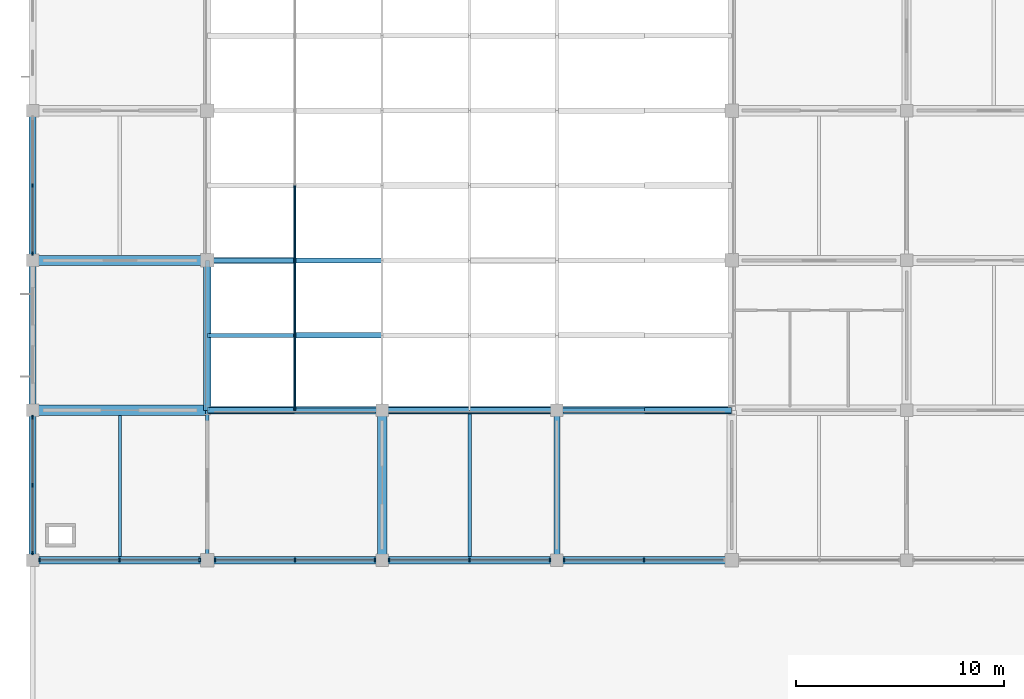
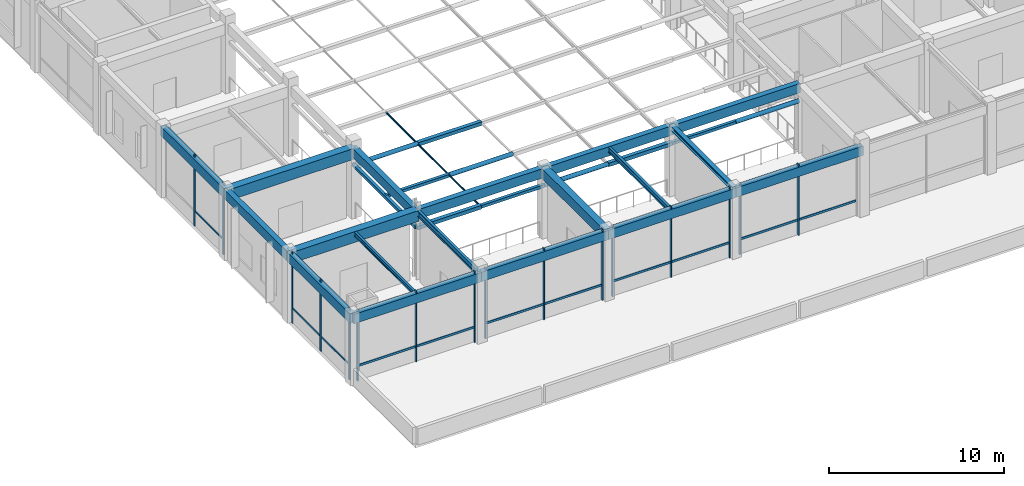
# One storey, part 6 of 38: 41 members, 18 beams, 6 elements without a shape of their own.
"""IFC4 building model written with IfcOpenShell, lengths in metres."""

from ifc_helpers import new_model, si_unit, derived_unit, direction, frame, origin, origin_2d, place, context, subcontext, project, spatial, rectangle, hollow_rectangle, hollow_circle, i_section, extrude, material, material_profile, profile_set, type_object, element, aggregate, save


model = new_model("IFC4")

# Units and contexts
model_context = context("Model", 3, precision=1e-05, world=origin(), true_north=direction((0.0, 1.0)))
body_context = subcontext(model_context, "Body", "Model", "MODEL_VIEW")
ifc_project = project(units=[si_unit("LENGTHUNIT", "METRE"), si_unit("AREAUNIT", "SQUARE_METRE"), si_unit("VOLUMEUNIT", "CUBIC_METRE"), si_unit("PLANEANGLEUNIT", "RADIAN"), si_unit("MASSUNIT", "GRAM", prefix="KILO"), derived_unit("THERMALTRANSMITTANCEUNIT", [(si_unit("MASSUNIT", "GRAM", prefix="KILO"), 1), (si_unit("TIMEUNIT", "SECOND"), -3), (si_unit("THERMODYNAMICTEMPERATUREUNIT", "KELVIN"), -1)])], contexts=[model_context])

# Site, building, storey
site_placement = place(None, origin())
site = spatial("IfcSite", under=ifc_project, at=site_placement, CompositionType="ELEMENT")
building_placement = place(site_placement, origin())
building = spatial("IfcBuilding", under=site, at=building_placement, Name="Veldstrom Oceanarium and Marine Research Institute", CompositionType="ELEMENT")
storey_placement = place(building_placement, frame((0.0, 0.0, 16.800048828125)))
storey = spatial("IfcBuildingStorey", under=building, at=storey_placement, Name="L03", CompositionType="ELEMENT", Elevation=16.800048828125)

# Curtain wall, members
ifc_material_1 = material(Name="Anodised Aluminium Framing", Category="aluminium")
curtain_wall_type_1 = type_object("IfcCurtainWallType", Name="ARC-CW-CW02", PredefinedType="USERDEFINED", material=ifc_material_1)
curtain_wall_1_placement = place(storey_placement, origin())
curtain_wall_1 = element("IfcCurtainWall", 1, at=curtain_wall_1_placement, inside=storey, type_object=curtain_wall_type_1, Name="Curtain Wall CW02 CW-L03-043", ObjectType="Curtain wall", PredefinedType="USERDEFINED")
ifc_material_2 = material(Name="Anodised Aluminium Framing", Category="aluminium")
ifc_material_profile_1 = material_profile(ifc_material_2, rectangle(XDim=0.074951171875, YDim=0.179931640625, at=origin_2d()), Name="ALU-MUL-75x180")
ifc_profile_set_1 = profile_set([ifc_material_profile_1], Name="Anodised Aluminium Framing")
member_type_1 = type_object("IfcMemberType", Name="ARC-MUL-ML1", PredefinedType="MULLION", material=ifc_profile_set_1)
member_1_placement = place(storey_placement, frame((8.739990234375, 7.199951171875, 0.0), z_axis=(0.0, 0.0, 1.0), x_axis=(1.0, 0.0, 0.0)))
member_1 = element("IfcMember", 2, at=member_1_placement, type_object=member_type_1, Name="Curtain Wall Mullion CW-L03-043-MUL-1", PredefinedType="MULLION", context=body_context, shape_type="SweptSolid", body=[
    extrude(rectangle(XDim=0.074951171875, YDim=0.179931640625, at=origin_2d()), origin(), (0.0, 0.0, 1.0), 4.949951171875),
])
member_2_placement = place(storey_placement, frame((12.58740234375, 7.199951171875, 0.0), z_axis=(0.0, 0.0, 1.0), x_axis=(1.0, 0.0, 0.0)))
member_2 = element("IfcMember", 3, at=member_2_placement, type_object=member_type_1, Name="Curtain Wall Mullion CW-L03-043-MUL-2", PredefinedType="MULLION", context=body_context, shape_type="SweptSolid", body=[
    extrude(rectangle(XDim=0.074951171875, YDim=0.179931640625, at=origin_2d()), origin(), (0.0, 0.0, 1.0), 4.949951171875),
])
member_3_placement = place(storey_placement, frame((16.43505859375, 7.199951171875, 0.0), z_axis=(0.0, 0.0, 1.0), x_axis=(1.0, 0.0, 0.0)))
member_3 = element("IfcMember", 4, at=member_3_placement, type_object=member_type_1, Name="Curtain Wall Mullion CW-L03-043-MUL-3", PredefinedType="MULLION", context=body_context, shape_type="SweptSolid", body=[
    extrude(rectangle(XDim=0.074951171875, YDim=0.179931640625, at=origin_2d()), origin(), (0.0, 0.0, 1.0), 4.949951171875),
])

ifc_material_3 = material(Name="Anodised Aluminium Framing", Category="aluminium")
curtain_wall_type_2 = type_object("IfcCurtainWallType", Name="ARC-CW-CW06", PredefinedType="USERDEFINED", material=ifc_material_3)
curtain_wall_2_placement = place(storey_placement, origin())
curtain_wall_2 = element("IfcCurtainWall", 5, at=curtain_wall_2_placement, inside=storey, type_object=curtain_wall_type_2, Name="Curtain Wall CW06 CW-L03-044", ObjectType="Curtain wall", PredefinedType="USERDEFINED")
member_4_placement = place(storey_placement, frame((8.39990234375, 7.5400390625, 0.0), z_axis=(0.0, 0.0, 1.0), x_axis=(1.0, 0.0, 0.0)))
member_4 = element("IfcMember", 6, at=member_4_placement, type_object=member_type_1, Name="Curtain Wall Mullion CW-L03-044-MUL-1", PredefinedType="MULLION", context=body_context, shape_type="SweptSolid", body=[
    extrude(rectangle(XDim=0.074951171875, YDim=0.179931640625, at=origin_2d()), origin(), (0.0, 0.0, 1.0), 4.949951171875),
])
member_5_placement = place(storey_placement, frame((8.39990234375, 10.800048828125, 0.0), z_axis=(0.0, 0.0, 1.0), x_axis=(1.0, 0.0, 0.0)))
member_5 = element("IfcMember", 7, at=member_5_placement, type_object=member_type_1, Name="Curtain Wall Mullion CW-L03-044-MUL-2", PredefinedType="MULLION", context=body_context, shape_type="SweptSolid", body=[
    extrude(rectangle(XDim=0.074951171875, YDim=0.179931640625, at=origin_2d()), origin(), (0.0, 0.0, 1.0), 4.949951171875),
])
member_6_placement = place(storey_placement, frame((8.39990234375, 14.06005859375, 0.0), z_axis=(0.0, 0.0, 1.0), x_axis=(1.0, 0.0, 0.0)))
member_6 = element("IfcMember", 8, at=member_6_placement, type_object=member_type_1, Name="Curtain Wall Mullion CW-L03-044-MUL-3", PredefinedType="MULLION", context=body_context, shape_type="SweptSolid", body=[
    extrude(rectangle(XDim=0.074951171875, YDim=0.179931640625, at=origin_2d()), origin(), (0.0, 0.0, 1.0), 4.949951171875),
])

curtain_wall_3_placement = place(storey_placement, origin())
curtain_wall_3 = element("IfcCurtainWall", 9, at=curtain_wall_3_placement, inside=storey, type_object=curtain_wall_type_2, Name="Curtain Wall CW06 CW-L03-045", ObjectType="Curtain wall", PredefinedType="USERDEFINED")
member_7_placement = place(storey_placement, frame((8.39990234375, 21.93994140625, 0.0), z_axis=(0.0, 0.0, 1.0), x_axis=(1.0, 0.0, 0.0)))
member_7 = element("IfcMember", 10, at=member_7_placement, type_object=member_type_1, Name="Curtain Wall Mullion CW-L03-045-MUL-1", PredefinedType="MULLION", context=body_context, shape_type="SweptSolid", body=[
    extrude(rectangle(XDim=0.074951171875, YDim=0.179931640625, at=origin_2d()), origin(), (0.0, 0.0, 1.0), 4.949951171875),
])
member_8_placement = place(storey_placement, frame((8.39990234375, 25.199951171875, 0.0), z_axis=(0.0, 0.0, 1.0), x_axis=(1.0, 0.0, 0.0)))
member_8 = element("IfcMember", 11, at=member_8_placement, type_object=member_type_1, Name="Curtain Wall Mullion CW-L03-045-MUL-2", PredefinedType="MULLION", context=body_context, shape_type="SweptSolid", body=[
    extrude(rectangle(XDim=0.074951171875, YDim=0.179931640625, at=origin_2d()), origin(), (0.0, 0.0, 1.0), 4.949951171875),
])

curtain_wall_4_placement = place(storey_placement, origin())
curtain_wall_4 = element("IfcCurtainWall", 12, at=curtain_wall_4_placement, inside=storey, type_object=curtain_wall_type_1, Name="Curtain Wall CW02 CW-L03-049", ObjectType="Curtain wall", PredefinedType="USERDEFINED")
member_9_placement = place(storey_placement, frame((17.1650390625, 7.199951171875, 0.0), z_axis=(0.0, 0.0, 1.0), x_axis=(1.0, 0.0, 0.0)))
member_9 = element("IfcMember", 13, at=member_9_placement, type_object=member_type_1, Name="Curtain Wall Mullion CW-L03-049-MUL-1", PredefinedType="MULLION", context=body_context, shape_type="SweptSolid", body=[
    extrude(rectangle(XDim=0.074951171875, YDim=0.179931640625, at=origin_2d()), origin(), (0.0, 0.0, 1.0), 4.949951171875),
])
member_10_placement = place(storey_placement, frame((21.012451171875, 7.199951171875, 0.0), z_axis=(0.0, 0.0, 1.0), x_axis=(1.0, 0.0, 0.0)))
member_10 = element("IfcMember", 14, at=member_10_placement, type_object=member_type_1, Name="Curtain Wall Mullion CW-L03-049-MUL-2", PredefinedType="MULLION", context=body_context, shape_type="SweptSolid", body=[
    extrude(rectangle(XDim=0.074951171875, YDim=0.179931640625, at=origin_2d()), origin(), (0.0, 0.0, 1.0), 4.949951171875),
])
member_11_placement = place(storey_placement, frame((24.860107421875, 7.199951171875, 0.0), z_axis=(0.0, 0.0, 1.0), x_axis=(1.0, 0.0, 0.0)))
member_11 = element("IfcMember", 15, at=member_11_placement, type_object=member_type_1, Name="Curtain Wall Mullion CW-L03-049-MUL-3", PredefinedType="MULLION", context=body_context, shape_type="SweptSolid", body=[
    extrude(rectangle(XDim=0.074951171875, YDim=0.179931640625, at=origin_2d()), origin(), (0.0, 0.0, 1.0), 4.949951171875),
])

curtain_wall_5_placement = place(storey_placement, origin())
curtain_wall_5 = element("IfcCurtainWall", 16, at=curtain_wall_5_placement, inside=storey, type_object=curtain_wall_type_1, Name="Curtain Wall CW02 CW-L03-050", ObjectType="Curtain wall", PredefinedType="USERDEFINED")
member_12_placement = place(storey_placement, frame((25.5400390625, 7.199951171875, 0.0), z_axis=(0.0, 0.0, 1.0), x_axis=(1.0, 0.0, 0.0)))
member_12 = element("IfcMember", 17, at=member_12_placement, type_object=member_type_1, Name="Curtain Wall Mullion CW-L03-050-MUL-1", PredefinedType="MULLION", context=body_context, shape_type="SweptSolid", body=[
    extrude(rectangle(XDim=0.074951171875, YDim=0.179931640625, at=origin_2d()), origin(), (0.0, 0.0, 1.0), 4.949951171875),
])
member_13_placement = place(storey_placement, frame((29.39990234375, 7.199951171875, 0.0), z_axis=(0.0, 0.0, 1.0), x_axis=(1.0, 0.0, 0.0)))
member_13 = element("IfcMember", 18, at=member_13_placement, type_object=member_type_1, Name="Curtain Wall Mullion CW-L03-050-MUL-2", PredefinedType="MULLION", context=body_context, shape_type="SweptSolid", body=[
    extrude(rectangle(XDim=0.074951171875, YDim=0.179931640625, at=origin_2d()), origin(), (0.0, 0.0, 1.0), 4.949951171875),
])
member_14_placement = place(storey_placement, frame((33.260009765625, 7.199951171875, 0.0), z_axis=(0.0, 0.0, 1.0), x_axis=(1.0, 0.0, 0.0)))
member_14 = element("IfcMember", 19, at=member_14_placement, type_object=member_type_1, Name="Curtain Wall Mullion CW-L03-050-MUL-3", PredefinedType="MULLION", context=body_context, shape_type="SweptSolid", body=[
    extrude(rectangle(XDim=0.074951171875, YDim=0.179931640625, at=origin_2d()), origin(), (0.0, 0.0, 1.0), 4.949951171875),
])

curtain_wall_6_placement = place(storey_placement, origin())
curtain_wall_6 = element("IfcCurtainWall", 20, at=curtain_wall_6_placement, inside=storey, type_object=curtain_wall_type_1, Name="Curtain Wall CW02 CW-L03-051", ObjectType="Curtain wall", PredefinedType="USERDEFINED")
member_15_placement = place(storey_placement, frame((33.93994140625, 7.199951171875, 0.0), z_axis=(0.0, 0.0, 1.0), x_axis=(1.0, 0.0, 0.0)))
member_15 = element("IfcMember", 21, at=member_15_placement, type_object=member_type_1, Name="Curtain Wall Mullion CW-L03-051-MUL-1", PredefinedType="MULLION", context=body_context, shape_type="SweptSolid", body=[
    extrude(rectangle(XDim=0.074951171875, YDim=0.179931640625, at=origin_2d()), origin(), (0.0, 0.0, 1.0), 4.949951171875),
])
member_16_placement = place(storey_placement, frame((37.78759765625, 7.199951171875, 0.0), z_axis=(0.0, 0.0, 1.0), x_axis=(1.0, 0.0, 0.0)))
member_16 = element("IfcMember", 22, at=member_16_placement, type_object=member_type_1, Name="Curtain Wall Mullion CW-L03-051-MUL-2", PredefinedType="MULLION", context=body_context, shape_type="SweptSolid", body=[
    extrude(rectangle(XDim=0.074951171875, YDim=0.179931640625, at=origin_2d()), origin(), (0.0, 0.0, 1.0), 4.949951171875),
])

# Member
ifc_material_4 = material(Name="Anodised Aluminium Framing", Category="aluminium")
ifc_material_profile_2 = material_profile(ifc_material_4, rectangle(XDim=0.074951171875, YDim=0.14990234375, at=origin_2d()), Name="ALU-TRN-75x150")
ifc_profile_set_2 = profile_set([ifc_material_profile_2], Name="Anodised Aluminium Framing")
member_type_2 = type_object("IfcMemberType", Name="ARC-TRN-TR1", PredefinedType="USERDEFINED", material=ifc_profile_set_2)
member_17_placement = place(storey_placement, frame((8.780029296875, 7.199951171875, 1.050048828125), z_axis=(1.0, 0.0, 0.0), x_axis=(0.0, 1.0, 0.0)))
member_17 = element("IfcMember", 23, at=member_17_placement, type_object=member_type_2, Name="Curtain Wall Transom CW-L03-043-TRN-1", ObjectType="Transom", PredefinedType="USERDEFINED", context=body_context, shape_type="SweptSolid", body=[
    extrude(rectangle(XDim=0.074951171875, YDim=0.14990234375, at=origin_2d()), origin(), (0.0, 0.0, 1.0), 3.767578125),
])

member_18_placement = place(storey_placement, frame((12.62744140625, 7.199951171875, 1.050048828125), z_axis=(1.0, 0.0, 0.0), x_axis=(0.0, 1.0, 0.0)))
member_18 = element("IfcMember", 24, at=member_18_placement, type_object=member_type_2, Name="Curtain Wall Transom CW-L03-043-TRN-2", ObjectType="Transom", PredefinedType="USERDEFINED", context=body_context, shape_type="SweptSolid", body=[
    extrude(rectangle(XDim=0.074951171875, YDim=0.14990234375, at=origin_2d()), origin(), (0.0, 0.0, 1.0), 3.767578125),
])

aggregate(curtain_wall_1, [member_1, member_2, member_3, member_17, member_18])

member_19_placement = place(storey_placement, frame((17.205078125, 7.199951171875, 1.050048828125), z_axis=(1.0, 0.0, 0.0), x_axis=(0.0, 1.0, 0.0)))
member_19 = element("IfcMember", 25, at=member_19_placement, type_object=member_type_2, Name="Curtain Wall Transom CW-L03-049-TRN-1", ObjectType="Transom", PredefinedType="USERDEFINED", context=body_context, shape_type="SweptSolid", body=[
    extrude(rectangle(XDim=0.074951171875, YDim=0.14990234375, at=origin_2d()), origin(), (0.0, 0.0, 1.0), 3.767333984375),
])

member_20_placement = place(storey_placement, frame((21.052490234375, 7.199951171875, 1.050048828125), z_axis=(1.0, 0.0, 0.0), x_axis=(0.0, 1.0, 0.0)))
member_20 = element("IfcMember", 26, at=member_20_placement, type_object=member_type_2, Name="Curtain Wall Transom CW-L03-049-TRN-2", ObjectType="Transom", PredefinedType="USERDEFINED", context=body_context, shape_type="SweptSolid", body=[
    extrude(rectangle(XDim=0.074951171875, YDim=0.14990234375, at=origin_2d()), origin(), (0.0, 0.0, 1.0), 3.767578125),
])

aggregate(curtain_wall_4, [member_9, member_10, member_11, member_19, member_20])

member_21_placement = place(storey_placement, frame((25.580078125, 7.199951171875, 1.050048828125), z_axis=(1.0, 0.0, 0.0), x_axis=(0.0, 1.0, 0.0)))
member_21 = element("IfcMember", 27, at=member_21_placement, type_object=member_type_2, Name="Curtain Wall Transom CW-L03-050-TRN-1", ObjectType="Transom", PredefinedType="USERDEFINED", context=body_context, shape_type="SweptSolid", body=[
    extrude(rectangle(XDim=0.074951171875, YDim=0.14990234375, at=origin_2d()), origin(), (0.0, 0.0, 1.0), 3.780029296875),
])

member_22_placement = place(storey_placement, frame((29.43994140625, 7.199951171875, 1.050048828125), z_axis=(1.0, 0.0, 0.0), x_axis=(0.0, 1.0, 0.0)))
member_22 = element("IfcMember", 28, at=member_22_placement, type_object=member_type_2, Name="Curtain Wall Transom CW-L03-050-TRN-2", ObjectType="Transom", PredefinedType="USERDEFINED", context=body_context, shape_type="SweptSolid", body=[
    extrude(rectangle(XDim=0.074951171875, YDim=0.14990234375, at=origin_2d()), origin(), (0.0, 0.0, 1.0), 3.780029296875),
])

aggregate(curtain_wall_5, [member_12, member_13, member_14, member_21, member_22])

member_23_placement = place(storey_placement, frame((33.97998046875, 7.199951171875, 1.050048828125), z_axis=(1.0, 0.0, 0.0), x_axis=(0.0, 1.0, 0.0)))
member_23 = element("IfcMember", 29, at=member_23_placement, type_object=member_type_2, Name="Curtain Wall Transom CW-L03-051-TRN-1", ObjectType="Transom", PredefinedType="USERDEFINED", context=body_context, shape_type="SweptSolid", body=[
    extrude(rectangle(XDim=0.074951171875, YDim=0.14990234375, at=origin_2d()), origin(), (0.0, 0.0, 1.0), 3.767578125),
])

member_24_placement = place(storey_placement, frame((37.827392578125, 7.199951171875, 1.050048828125), z_axis=(1.0, 0.0, 0.0), x_axis=(0.0, 1.0, 0.0)))
member_24 = element("IfcMember", 30, at=member_24_placement, type_object=member_type_2, Name="Curtain Wall Transom CW-L03-051-TRN-2", ObjectType="Transom", PredefinedType="USERDEFINED", context=body_context, shape_type="SweptSolid", body=[
    extrude(rectangle(XDim=0.074951171875, YDim=0.14990234375, at=origin_2d()), origin(), (0.0, 0.0, 1.0), 3.767578125),
])

aggregate(curtain_wall_6, [member_15, member_16, member_23, member_24])

ifc_material_5 = material(Name="Anodised Aluminium Framing", Category="aluminium")
ifc_material_profile_3 = material_profile(ifc_material_5, rectangle(XDim=0.06494140625, YDim=0.1201171875, at=origin_2d()), Name="ALU-TRN-65x120")
ifc_profile_set_3 = profile_set([ifc_material_profile_3], Name="Anodised Aluminium Framing")
member_type_3 = type_object("IfcMemberType", Name="ARC-TRN-TR2", PredefinedType="USERDEFINED", material=ifc_profile_set_3)
member_25_placement = place(storey_placement, frame((8.39990234375, 7.580078125, 1.050048828125), z_axis=(0.0, 1.0, 0.0), x_axis=(-1.0, 0.0, 0.0)))
member_25 = element("IfcMember", 31, at=member_25_placement, type_object=member_type_3, Name="Curtain Wall Transom CW-L03-044-TRN-1", ObjectType="Transom", PredefinedType="USERDEFINED", context=body_context, shape_type="SweptSolid", body=[
    extrude(rectangle(XDim=0.06494140625, YDim=0.1201171875, at=origin_2d()), origin(), (0.0, 0.0, 1.0), 3.179931640625),
])

member_26_placement = place(storey_placement, frame((8.39990234375, 10.840087890625, 1.050048828125), z_axis=(0.0, 1.0, 0.0), x_axis=(-1.0, 0.0, 0.0)))
member_26 = element("IfcMember", 32, at=member_26_placement, type_object=member_type_3, Name="Curtain Wall Transom CW-L03-044-TRN-2", ObjectType="Transom", PredefinedType="USERDEFINED", context=body_context, shape_type="SweptSolid", body=[
    extrude(rectangle(XDim=0.06494140625, YDim=0.1201171875, at=origin_2d()), origin(), (0.0, 0.0, 1.0), 3.179931640625),
])

aggregate(curtain_wall_2, [member_4, member_5, member_6, member_25, member_26])

member_27_placement = place(storey_placement, frame((8.39990234375, 21.97998046875, 1.050048828125), z_axis=(0.0, 1.0, 0.0), x_axis=(-1.0, 0.0, 0.0)))
member_27 = element("IfcMember", 33, at=member_27_placement, type_object=member_type_3, Name="Curtain Wall Transom CW-L03-045-TRN-1", ObjectType="Transom", PredefinedType="USERDEFINED", context=body_context, shape_type="SweptSolid", body=[
    extrude(rectangle(XDim=0.06494140625, YDim=0.1201171875, at=origin_2d()), origin(), (0.0, 0.0, 1.0), 3.179931640625),
])

aggregate(curtain_wall_3, [member_7, member_8, member_27])

# Beams
ifc_material_6 = material(Name="Concrete C40/50", Category="concrete")
ifc_material_profile_4 = material_profile(ifc_material_6, rectangle(XDim=0.5, YDim=0.75, at=origin_2d()), Name="RC-BM-500x750")
ifc_profile_set_4 = profile_set([ifc_material_profile_4], Name="Concrete C40/50")
beam_type_1 = type_object("IfcBeamType", Name="STR-BM-B03", PredefinedType="BEAM", material=ifc_profile_set_4)
for number, where, z_axis, x_axis, name in (
    (34, (8.39990234375, 14.39990234375, 4.445068359375), (1.0, 0.0, 0.0), (0.0, 1.0, 0.0), "Primary Beam B03 L03-1840"),
    (35, (8.39990234375, 21.60009765625, 4.445068359375), (1.0, 0.0, 0.0), (0.0, 1.0, 0.0), "Primary Beam B03 L03-1841"),
):
    element("IfcBeam", number, at=place(storey_placement, frame(where, z_axis=z_axis, x_axis=x_axis)), inside=storey, type_object=beam_type_1, Name=name, PredefinedType="BEAM", context=body_context, shape_type="SweptSolid", body=[
        extrude(rectangle(XDim=0.5, YDim=0.75, at=origin_2d()), origin(), (0.0, 0.0, 1.0), 8.400146484375),
    ])
ifc_material_7 = material(Name="Concrete C40/50", Category="concrete")
ifc_material_profile_5 = material_profile(ifc_material_7, rectangle(XDim=0.449951171875, YDim=0.699951171875, at=origin_2d()), Name="RC-BM-450x700")
ifc_profile_set_5 = profile_set([ifc_material_profile_5], Name="Concrete C40/50")
beam_type_2 = type_object("IfcBeamType", Name="STR-BM-B04", PredefinedType="BEAM", material=ifc_profile_set_5)
beam_1_placement = place(storey_placement, frame((25.199951171875, 7.199951171875, 4.469970703125), z_axis=(0.0, 1.0, 0.0), x_axis=(-1.0, 0.0, 0.0)))
element("IfcBeam", 36, at=beam_1_placement, inside=storey, type_object=beam_type_2, Name="Primary Beam B04 L03-1966", PredefinedType="BEAM", context=body_context, shape_type="SweptSolid", body=[
    extrude(rectangle(XDim=0.449951171875, YDim=0.699951171875, at=origin_2d()), origin(), (0.0, 0.0, 1.0), 7.199951171875),
])
ifc_material_8 = material(Name="Steel S355JR", Category="steel")
ifc_material_profile_6 = material_profile(ifc_material_8, i_section(OverallWidth=0.300048828125, OverallDepth=0.2900390625, WebThickness=0.008544921875, FlangeThickness=0.013916015625, FilletRadius=0.027099609375, at=origin_2d()), Name="HEA 300")
ifc_profile_set_6 = profile_set([ifc_material_profile_6], Name="Steel S355JR")
beam_type_3 = type_object("IfcBeamType", Name="STR-BM-SB10", PredefinedType="BEAM", material=ifc_profile_set_6)
beam_2_placement = place(storey_placement, frame((33.60009765625, 7.199951171875, 4.675048828125), z_axis=(0.0, 1.0, 0.0), x_axis=(-1.0, 0.0, 0.0)))
element("IfcBeam", 37, at=beam_2_placement, inside=storey, type_object=beam_type_3, Name="Steel Tie Beam SB10 L03-1969", PredefinedType="BEAM", context=body_context, shape_type="SweptSolid", body=[
    extrude(i_section(OverallWidth=0.300048828125, OverallDepth=0.2900390625, WebThickness=0.008544921875, FlangeThickness=0.013916015625, FilletRadius=0.027099609375, at=origin_2d()), origin(), (0.0, 0.0, 1.0), 7.199951171875),
])
ifc_material_9 = material(Name="Steel S355JR", Category="steel")
ifc_material_profile_7 = material_profile(ifc_material_9, i_section(OverallWidth=0.179931640625, OverallDepth=0.39990234375, WebThickness=0.008544921875, FlangeThickness=0.013427734375, FilletRadius=0.02099609375, at=origin_2d()), Name="IPE 400")
ifc_profile_set_7 = profile_set([ifc_material_profile_7], Name="Steel S355JR")
beam_type_4 = type_object("IfcBeamType", Name="STR-BM-SB8", PredefinedType="BEAM", material=ifc_profile_set_7)
beam_3_placement = place(storey_placement, frame((16.800048828125, 7.199951171875, 4.619873046875), z_axis=(0.0, 1.0, 0.0), x_axis=(-1.0, 0.0, 0.0)))
element("IfcBeam", 38, at=beam_3_placement, inside=storey, type_object=beam_type_4, Name="Steel Tie Beam SB8 L03-1957", PredefinedType="BEAM", context=body_context, shape_type="SweptSolid", body=[
    extrude(i_section(OverallWidth=0.179931640625, OverallDepth=0.39990234375, WebThickness=0.008544921875, FlangeThickness=0.013427734375, FilletRadius=0.02099609375, at=origin_2d()), origin(), (0.0, 0.0, 1.0), 7.199951171875),
])
ifc_material_10 = material(Name="Steel S355JR", Category="steel")
ifc_material_profile_8 = material_profile(ifc_material_10, i_section(OverallWidth=0.169921875, OverallDepth=0.360107421875, WebThickness=0.008056640625, FlangeThickness=0.0126953125, FilletRadius=0.01806640625, at=origin_2d()), Name="IPE 360")
ifc_profile_set_8 = profile_set([ifc_material_profile_8], Name="Steel S355JR")
beam_type_5 = type_object("IfcBeamType", Name="STR-JST-SJ1", PredefinedType="JOIST", material=ifc_profile_set_8)
beam_4_placement = place(storey_placement, frame((29.39990234375, 7.375, 4.639892578125), z_axis=(0.0, 1.0, 0.0), x_axis=(-1.0, 0.0, 0.0)))
element("IfcBeam", 39, at=beam_4_placement, inside=storey, type_object=beam_type_5, Name="Secondary Joist SJ1 L03-2059", PredefinedType="JOIST", context=body_context, shape_type="SweptSolid", body=[
    extrude(i_section(OverallWidth=0.169921875, OverallDepth=0.360107421875, WebThickness=0.008056640625, FlangeThickness=0.0126953125, FilletRadius=0.01806640625, at=origin_2d()), origin(), (0.0, 0.0, 1.0), 6.85009765625),
])
ifc_material_11 = material(Name="Steel S355JR", Category="steel")
ifc_material_profile_9 = material_profile(ifc_material_11, i_section(OverallWidth=0.14990234375, OverallDepth=0.300048828125, WebThickness=0.007080078125, FlangeThickness=0.0107421875, FilletRadius=0.014892578125, at=origin_2d()), Name="IPE 300")
ifc_profile_set_9 = profile_set([ifc_material_profile_9], Name="Steel S355JR")
beam_type_6 = type_object("IfcBeamType", Name="STR-JST-SJ2", PredefinedType="JOIST", material=ifc_profile_set_9)
beam_5_placement = place(storey_placement, frame((12.60009765625, 7.375, 4.669921875), z_axis=(0.0, 1.0, 0.0), x_axis=(-1.0, 0.0, 0.0)))
element("IfcBeam", 40, at=beam_5_placement, inside=storey, type_object=beam_type_6, Name="Secondary Joist SJ2 L03-2053", PredefinedType="JOIST", context=body_context, shape_type="SweptSolid", body=[
    extrude(i_section(OverallWidth=0.14990234375, OverallDepth=0.300048828125, WebThickness=0.007080078125, FlangeThickness=0.0107421875, FilletRadius=0.014892578125, at=origin_2d()), origin(), (0.0, 0.0, 1.0), 6.77490234375),
])

# Members
ifc_material_12 = material(Name="Steel S355JR", Category="steel")
ifc_material_profile_10 = material_profile(ifc_material_12, hollow_rectangle(XDim=0.25, YDim=0.25, WallThickness=0.012451171875, at=origin_2d()), Name="SHS 250x250x12.5")
ifc_profile_set_10 = profile_set([ifc_material_profile_10], Name="Steel S355JR")
member_type_4 = type_object("IfcMemberType", Name="STR-MEM-CH1", PredefinedType="CHORD", material=ifc_profile_set_10)
member_28_placement = place(storey_placement, frame((16.800048828125, 14.39990234375, 3.5), z_axis=(1.0, 0.0, 0.0), x_axis=(0.0, 1.0, 0.0)))
element("IfcMember", 41, at=member_28_placement, inside=storey, type_object=member_type_4, Name="Truss Bottom Chord RT01-1", PredefinedType="CHORD", context=body_context, shape_type="SweptSolid", body=[
    extrude(hollow_rectangle(XDim=0.25, YDim=0.25, WallThickness=0.012451171875, at=origin_2d()), origin(), (0.0, 0.0, 1.0), 4.199951171875),
])
member_29_placement = place(storey_placement, frame((29.39990234375, 14.39990234375, 3.5), z_axis=(1.0, 0.0, 0.0), x_axis=(0.0, 1.0, 0.0)))
element("IfcMember", 42, at=member_29_placement, inside=storey, type_object=member_type_4, Name="Truss Bottom Chord RT01-4", PredefinedType="CHORD", context=body_context, shape_type="SweptSolid", body=[
    extrude(hollow_rectangle(XDim=0.25, YDim=0.25, WallThickness=0.012451171875, at=origin_2d()), origin(), (0.0, 0.0, 1.0), 4.2001953125),
])
member_30_placement = place(storey_placement, frame((21.0, 21.60009765625, 3.5), z_axis=(1.0, 0.0, 0.0), x_axis=(0.0, 1.0, 0.0)))
element("IfcMember", 43, at=member_30_placement, inside=storey, type_object=member_type_4, Name="Truss Bottom Chord RT03-2", PredefinedType="CHORD", context=body_context, shape_type="SweptSolid", body=[
    extrude(hollow_rectangle(XDim=0.25, YDim=0.25, WallThickness=0.012451171875, at=origin_2d()), origin(), (0.0, 0.0, 1.0), 4.199951171875),
])
ifc_material_13 = material(Name="Steel S355JR", Category="steel")
ifc_material_profile_11 = material_profile(ifc_material_13, hollow_rectangle(XDim=0.199951171875, YDim=0.199951171875, WallThickness=0.012451171875, at=origin_2d()), Name="SHS 200x200x12.5")
ifc_profile_set_11 = profile_set([ifc_material_profile_11], Name="Steel S355JR")
member_type_5 = type_object("IfcMemberType", Name="STR-MEM-CH2", PredefinedType="CHORD", material=ifc_profile_set_11)
for number, where, z_axis, x_axis, name in (
    (44, (21.0, 14.39990234375, 3.5), (1.0, 0.0, 0.0), (0.0, 1.0, 0.0), "Truss Bottom Chord RT01-2"),
    (45, (33.60009765625, 14.39990234375, 3.5), (1.0, 0.0, 0.0), (0.0, 1.0, 0.0), "Truss Bottom Chord RT01-5"),
    (46, (16.800048828125, 18.0, 3.5), (1.0, 0.0, 0.0), (0.0, 1.0, 0.0), "Truss Bottom Chord RT02-1"),
):
    element("IfcMember", number, at=place(storey_placement, frame(where, z_axis=z_axis, x_axis=x_axis)), inside=storey, type_object=member_type_5, Name=name, PredefinedType="CHORD", context=body_context, shape_type="SweptSolid", body=[
        extrude(hollow_rectangle(XDim=0.199951171875, YDim=0.199951171875, WallThickness=0.012451171875, at=origin_2d()), origin(), (0.0, 0.0, 1.0), 4.199951171875),
    ])
member_31_placement = place(storey_placement, frame((16.800048828125, 14.39990234375, 3.5), z_axis=(0.0, 1.0, 0.0), x_axis=(-1.0, 0.0, 0.0)))
element("IfcMember", 47, at=member_31_placement, inside=storey, type_object=member_type_5, Name="Hall Truss Bottom Longitudinal Tie 3/C", PredefinedType="CHORD", context=body_context, shape_type="SweptSolid", body=[
    extrude(hollow_rectangle(XDim=0.199951171875, YDim=0.199951171875, WallThickness=0.012451171875, at=origin_2d()), origin(), (0.0, 0.0, 1.0), 7.2001953125),
])
ifc_material_14 = material(Name="Steel S355JR", Category="steel")
ifc_material_profile_12 = material_profile(ifc_material_14, hollow_circle(Radius=0.136474609375, WallThickness=0.012451171875, at=origin_2d()), Name="CHS 273x12.5")
ifc_profile_set_12 = profile_set([ifc_material_profile_12], Name="Steel S355JR")
member_type_6 = type_object("IfcMemberType", Name="STR-MEM-CH3", PredefinedType="CHORD", material=ifc_profile_set_12)
for number, where, z_axis, x_axis, name in (
    (48, (25.199951171875, 14.39990234375, 3.5), (1.0, 0.0, 0.0), (0.0, 1.0, 0.0), "Truss Bottom Chord RT01-3"),
    (49, (37.800048828125, 14.39990234375, 3.5), (1.0, 0.0, 0.0), (0.0, 1.0, 0.0), "Truss Bottom Chord RT01-6"),
    (50, (21.0, 18.0, 3.5), (1.0, 0.0, 0.0), (0.0, 1.0, 0.0), "Truss Bottom Chord RT02-2"),
    (51, (16.800048828125, 21.60009765625, 3.5), (1.0, 0.0, 0.0), (0.0, 1.0, 0.0), "Truss Bottom Chord RT03-1"),
):
    element("IfcMember", number, at=place(storey_placement, frame(where, z_axis=z_axis, x_axis=x_axis)), inside=storey, type_object=member_type_6, Name=name, PredefinedType="CHORD", context=body_context, shape_type="SweptSolid", body=[
        extrude(hollow_circle(Radius=0.136474609375, WallThickness=0.012451171875, at=origin_2d()), origin(), (0.0, 0.0, 1.0), 4.199951171875),
    ])
ifc_material_15 = material(Name="Steel S355JR", Category="steel")
ifc_material_profile_13 = material_profile(ifc_material_15, hollow_circle(Radius=0.05712890625, WallThickness=0.00634765625, at=origin_2d()), Name="CHS 114.3x6.3")
ifc_profile_set_13 = profile_set([ifc_material_profile_13], Name="Steel S355JR")
member_type_7 = type_object("IfcMemberType", Name="STR-MEM-ST1", PredefinedType="STRUT", material=ifc_profile_set_13)
for number, where, z_axis, x_axis, name in (
    (52, (21.0, 14.39990234375, 3.5), (0.0, 1.0, 0.0), (-1.0, 0.0, 0.0), "Hall Truss Longitudinal Strut Tie ST-01-1"),
    (53, (21.0, 18.0, 3.5), (0.0, 1.0, 0.0), (-1.0, 0.0, 0.0), "Hall Truss Longitudinal Strut Tie ST-02-1"),
):
    element("IfcMember", number, at=place(storey_placement, frame(where, z_axis=z_axis, x_axis=x_axis)), inside=storey, type_object=member_type_7, Name=name, PredefinedType="STRUT", context=body_context, shape_type="SweptSolid", body=[
        extrude(hollow_circle(Radius=0.05712890625, WallThickness=0.00634765625, at=origin_2d()), origin(), (0.0, 0.0, 1.0), 3.60009765625),
    ])
member_32_placement = place(storey_placement, frame((21.0, 21.60009765625, 3.5), z_axis=(0.0, 1.0, 0.0), x_axis=(-1.0, 0.0, 0.0)))
element("IfcMember", 54, at=member_32_placement, inside=storey, type_object=member_type_7, Name="Hall Truss Longitudinal Strut Tie ST-03-1", PredefinedType="STRUT", context=body_context, shape_type="SweptSolid", body=[
    extrude(hollow_circle(Radius=0.05712890625, WallThickness=0.00634765625, at=origin_2d()), origin(), (0.0, 0.0, 1.0), 3.599853515625),
])

# Beams
ifc_material_16 = material(Name="Concrete C40/50", Category="concrete")
ifc_material_profile_14 = material_profile(ifc_material_16, rectangle(XDim=0.35009765625, YDim=0.64990234375, at=origin_2d()), Name="RC-SPN-350x650")
ifc_profile_set_14 = profile_set([ifc_material_profile_14], Name="Concrete C40/50")
beam_type_7 = type_object("IfcBeamType", Name="STR-SPN-SP1", PredefinedType="SPANDREL", material=ifc_profile_set_14)
beam_6_placement = place(storey_placement, frame((8.39990234375, 7.199951171875, 4.494873046875), z_axis=(1.0, 0.0, 0.0), x_axis=(0.0, 1.0, 0.0)))
element("IfcBeam", 55, at=beam_6_placement, inside=storey, type_object=beam_type_7, Name="Perimeter Spandrel SPB1 L03-1839", PredefinedType="SPANDREL", context=body_context, shape_type="SweptSolid", body=[
    extrude(rectangle(XDim=0.35009765625, YDim=0.64990234375, at=origin_2d()), origin(), (0.0, 0.0, 1.0), 8.400146484375),
])
for number, where, z_axis, x_axis, name in (
    (56, (16.800048828125, 7.199951171875, 4.494873046875), (1.0, 0.0, 0.0), (0.0, 1.0, 0.0), "Perimeter Spandrel SPB1 L03-1849"),
    (57, (16.800048828125, 14.39990234375, 4.494873046875), (1.0, 0.0, 0.0), (0.0, 1.0, 0.0), "Perimeter Spandrel SPB1 L03-1850"),
):
    element("IfcBeam", number, at=place(storey_placement, frame(where, z_axis=z_axis, x_axis=x_axis)), inside=storey, type_object=beam_type_7, Name=name, PredefinedType="SPANDREL", context=body_context, shape_type="SweptSolid", body=[
        extrude(rectangle(XDim=0.35009765625, YDim=0.64990234375, at=origin_2d()), origin(), (0.0, 0.0, 1.0), 8.39990234375),
    ])
for number, where, z_axis, x_axis, name in (
    (58, (25.199951171875, 7.199951171875, 4.494873046875), (1.0, 0.0, 0.0), (0.0, 1.0, 0.0), "Perimeter Spandrel SPB1 L03-1854"),
    (59, (25.199951171875, 14.39990234375, 4.494873046875), (1.0, 0.0, 0.0), (0.0, 1.0, 0.0), "Perimeter Spandrel SPB1 L03-1855"),
):
    element("IfcBeam", number, at=place(storey_placement, frame(where, z_axis=z_axis, x_axis=x_axis)), inside=storey, type_object=beam_type_7, Name=name, PredefinedType="SPANDREL", context=body_context, shape_type="SweptSolid", body=[
        extrude(rectangle(XDim=0.35009765625, YDim=0.64990234375, at=origin_2d()), origin(), (0.0, 0.0, 1.0), 8.400146484375),
    ])
for number, where, z_axis, x_axis, name in (
    (60, (33.60009765625, 7.199951171875, 4.494873046875), (1.0, 0.0, 0.0), (0.0, 1.0, 0.0), "Perimeter Spandrel SPB1 L03-1859"),
    (61, (33.60009765625, 14.39990234375, 4.494873046875), (1.0, 0.0, 0.0), (0.0, 1.0, 0.0), "Perimeter Spandrel SPB1 L03-1860"),
):
    element("IfcBeam", number, at=place(storey_placement, frame(where, z_axis=z_axis, x_axis=x_axis)), inside=storey, type_object=beam_type_7, Name=name, PredefinedType="SPANDREL", context=body_context, shape_type="SweptSolid", body=[
        extrude(rectangle(XDim=0.35009765625, YDim=0.64990234375, at=origin_2d()), origin(), (0.0, 0.0, 1.0), 8.39990234375),
    ])
beam_7_placement = place(storey_placement, frame((8.39990234375, 7.199951171875, 4.494873046875), z_axis=(0.0, 1.0, 0.0), x_axis=(-1.0, 0.0, 0.0)))
element("IfcBeam", 62, at=beam_7_placement, inside=storey, type_object=beam_type_7, Name="Perimeter Spandrel SPB1 L03-1948", PredefinedType="SPANDREL", context=body_context, shape_type="SweptSolid", body=[
    extrude(rectangle(XDim=0.35009765625, YDim=0.64990234375, at=origin_2d()), origin(), (0.0, 0.0, 1.0), 7.199951171875),
])
beam_8_placement = place(storey_placement, frame((8.39990234375, 14.39990234375, 4.494873046875), z_axis=(0.0, 1.0, 0.0), x_axis=(-1.0, 0.0, 0.0)))
element("IfcBeam", 63, at=beam_8_placement, inside=storey, type_object=beam_type_7, Name="Perimeter Spandrel SPB1 L03-1949", PredefinedType="SPANDREL", context=body_context, shape_type="SweptSolid", body=[
    extrude(rectangle(XDim=0.35009765625, YDim=0.64990234375, at=origin_2d()), origin(), (0.0, 0.0, 1.0), 7.2001953125),
])
beam_9_placement = place(storey_placement, frame((8.39990234375, 21.60009765625, 4.494873046875), z_axis=(0.0, 1.0, 0.0), x_axis=(-1.0, 0.0, 0.0)))
element("IfcBeam", 64, at=beam_9_placement, inside=storey, type_object=beam_type_7, Name="Perimeter Spandrel SPB1 L03-1950", PredefinedType="SPANDREL", context=body_context, shape_type="SweptSolid", body=[
    extrude(rectangle(XDim=0.35009765625, YDim=0.64990234375, at=origin_2d()), origin(), (0.0, 0.0, 1.0), 7.199951171875),
])
beam_10_placement = place(storey_placement, frame((16.800048828125, 14.39990234375, 4.494873046875), z_axis=(0.0, 1.0, 0.0), x_axis=(-1.0, 0.0, 0.0)))
element("IfcBeam", 65, at=beam_10_placement, inside=storey, type_object=beam_type_7, Name="Perimeter Spandrel SPB1 L03-1958", PredefinedType="SPANDREL", context=body_context, shape_type="SweptSolid", body=[
    extrude(rectangle(XDim=0.35009765625, YDim=0.64990234375, at=origin_2d()), origin(), (0.0, 0.0, 1.0), 7.2001953125),
])

save(model, "model.ifc")
